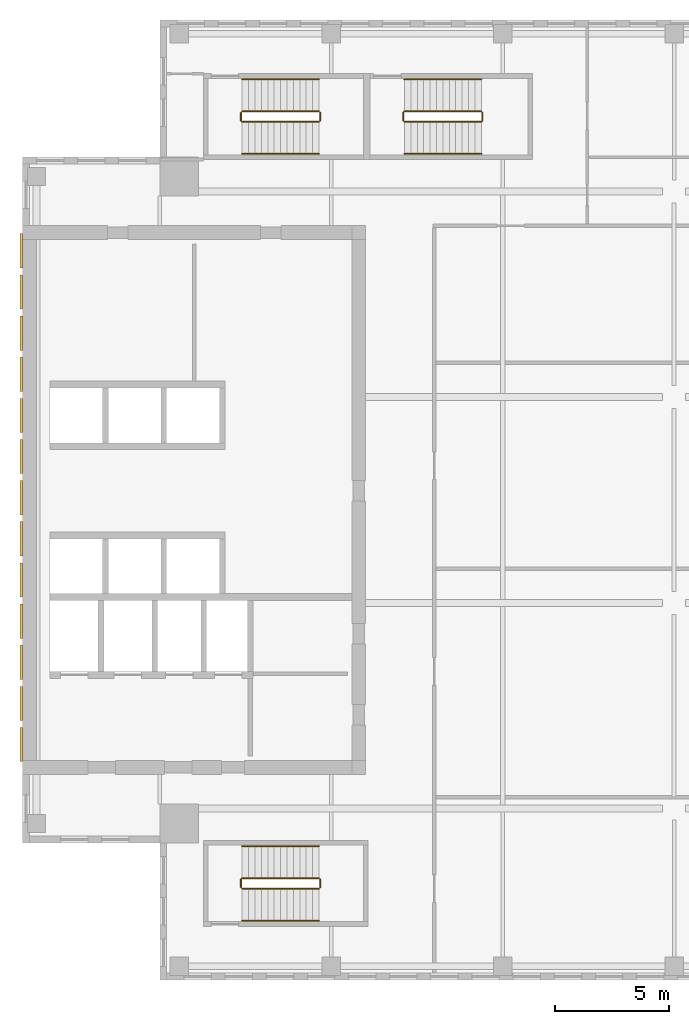
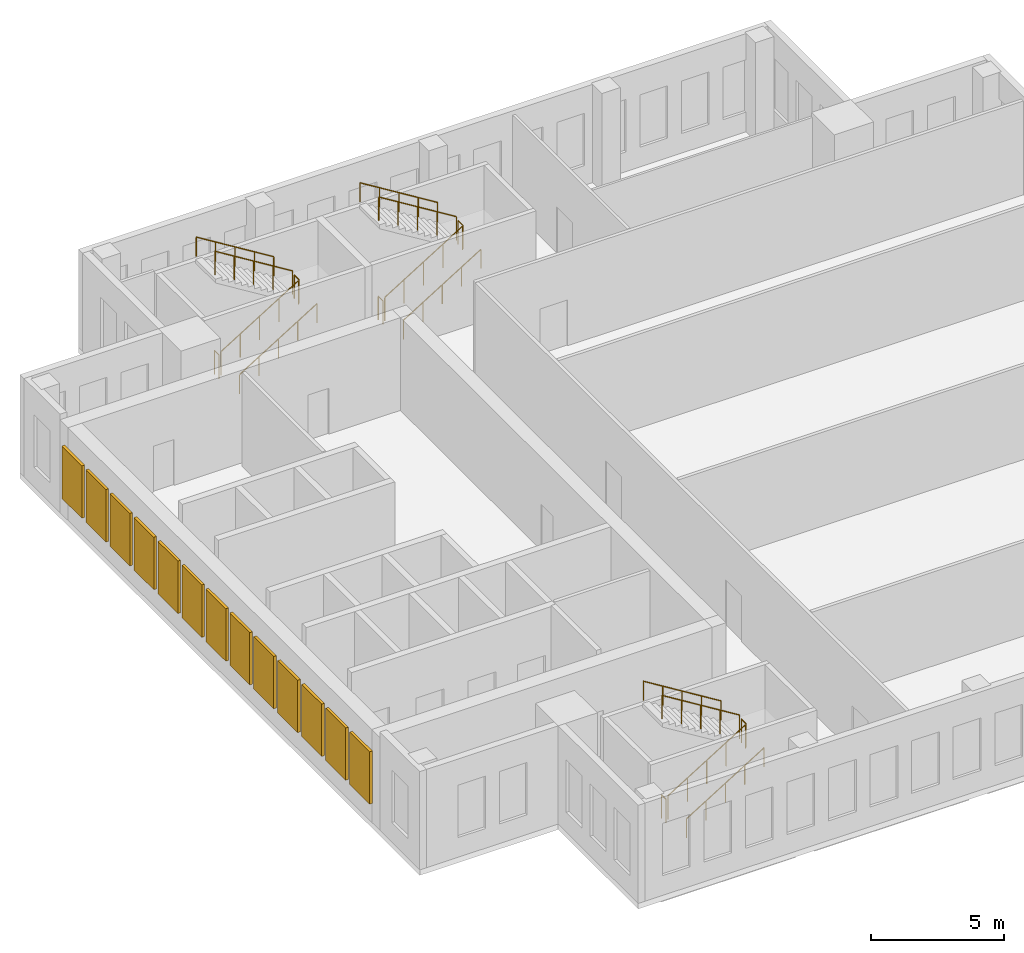
# One storey, part 6 of 6: 18 railings, 13 coverings.
"""IFC4 building model written with IfcOpenShell, lengths in metres."""

from ifc_helpers import new_model, si_unit, direction, frame, origin, origin_2d, place, context, subcontext, project, spatial, rectangle, circle, extrude, source, transform, mapped, material, layer, layer_set, type_object, element, save


model = new_model("IFC4")

# Units and contexts
model_context = context("Model", 3, precision=1e-05, world=origin(), true_north=direction((0.0, 1.0)))
body_context = subcontext(model_context, "Body", "Model", "MODEL_VIEW")
ifc_project = project(units=[si_unit("LENGTHUNIT", "METRE"), si_unit("AREAUNIT", "SQUARE_METRE"), si_unit("VOLUMEUNIT", "CUBIC_METRE"), si_unit("PLANEANGLEUNIT", "RADIAN"), si_unit("MASSUNIT", "GRAM", prefix="KILO")], contexts=[model_context])

# Site, building, storey
site_placement = place(None, origin())
site = spatial("IfcSite", under=ifc_project, at=site_placement, CompositionType="ELEMENT")
building_placement = place(site_placement, origin())
building = spatial("IfcBuilding", under=site, at=building_placement, Name="Khomas Fold Tower", CompositionType="ELEMENT")
storey_placement = place(building_placement, frame((0.0, 0.0, 330.199951171875)))
storey = spatial("IfcBuildingStorey", under=building, at=storey_placement, Name="C1", CompositionType="ELEMENT", Elevation=330.199951171875)

# Coverings
ifc_material_1 = material(Name="Aluminium louvre", Category="aluminium")
ifc_layer = layer(ifc_material_1, 0.1201171875)
ifc_layer_set = layer_set([ifc_layer], Name="Aluminium louvre")
covering_type = type_object("IfcCoveringType", Name="Crown louvre screen CR-LS", PredefinedType="CLADDING", material=ifc_layer_set)
shared_shape_1 = source(origin(), body_context, "Body", "SweptSolid", [
    extrude(rectangle(XDim=1.5, YDim=0.1201171875, at=origin_2d()), origin(), (0.0, 0.0, 1.0), 2.39990234375),
])
for number, where, z_axis, x_axis, name in (
    (1, (5.93994140625, 37.900146484375, 0.900146484375), (0.0, 0.0, 1.0), (0.0, -1.0, 0.0), "Crown louvre screen"),
    (2, (5.93994140625, 36.10009765625, 0.900146484375), (0.0, 0.0, 1.0), (0.0, -1.0, 0.0), "Crown louvre screen"),
    (3, (5.93994140625, 34.300048828125, 0.900146484375), (0.0, 0.0, 1.0), (0.0, -1.0, 0.0), "Crown louvre screen"),
    (4, (5.93994140625, 32.5, 0.900146484375), (0.0, 0.0, 1.0), (0.0, -1.0, 0.0), "Crown louvre screen"),
    (5, (5.93994140625, 30.7001953125, 0.900146484375), (0.0, 0.0, 1.0), (0.0, -1.0, 0.0), "Crown louvre screen"),
    (6, (5.93994140625, 28.900146484375, 0.900146484375), (0.0, 0.0, 1.0), (0.0, -1.0, 0.0), "Crown louvre screen"),
    (7, (5.93994140625, 27.10009765625, 0.900146484375), (0.0, 0.0, 1.0), (0.0, -1.0, 0.0), "Crown louvre screen"),
    (8, (5.93994140625, 25.300048828125, 0.900146484375), (0.0, 0.0, 1.0), (0.0, -1.0, 0.0), "Crown louvre screen"),
    (9, (5.93994140625, 23.5, 0.900146484375), (0.0, 0.0, 1.0), (0.0, -1.0, 0.0), "Crown louvre screen"),
    (10, (5.93994140625, 21.7001953125, 0.900146484375), (0.0, 0.0, 1.0), (0.0, -1.0, 0.0), "Crown louvre screen"),
    (11, (5.93994140625, 19.900146484375, 0.900146484375), (0.0, 0.0, 1.0), (0.0, -1.0, 0.0), "Crown louvre screen"),
    (12, (5.93994140625, 18.10009765625, 0.900146484375), (0.0, 0.0, 1.0), (0.0, -1.0, 0.0), "Crown louvre screen"),
    (13, (5.93994140625, 16.300048828125, 0.900146484375), (0.0, 0.0, 1.0), (0.0, -1.0, 0.0), "Crown louvre screen"),
):
    element("IfcCovering", number, at=place(storey_placement, frame(where, z_axis=z_axis, x_axis=x_axis)), inside=storey, type_object=covering_type, Name=name, PredefinedType="CLADDING", context=body_context, shape_type="MappedRepresentation", body=[
        mapped(shared_shape_1, transform((0.0, 0.0, 0.0))),
    ])

# Railings
ifc_material_2 = material(Name="Steel balustrade", Category="steel")
railing_type_1 = type_object("IfcRailingType", Name="Stair guard", PredefinedType="GUARDRAIL", material=ifc_material_2)
shared_shape_2 = source(origin(), body_context, "Body", "SweptSolid", [
    extrude(circle(Radius=0.02392578125, at=origin_2d()), frame((0.0, 0.0, 1.076171875), z_axis=(0.850606129759, 0.0, 0.525803396734), x_axis=(0.0, 1.0, 0.0)), (0.0, 0.0, 1.0), 3.949951171875),
    extrude(circle(Radius=0.02099609375, at=origin_2d()), origin(), (0.0, 0.0, 1.0), 1.052001953125),
    extrude(circle(Radius=0.02099609375, at=origin_2d()), frame((0.83984375, 0.0, 0.519287109375)), (0.0, 0.0, 1.0), 1.052001953125),
    extrude(circle(Radius=0.02099609375, at=origin_2d()), frame((1.679931640625, 0.0, 1.03857421875)), (0.0, 0.0, 1.0), 1.052001953125),
    extrude(circle(Radius=0.02099609375, at=origin_2d()), frame((2.52001953125, 0.0, 1.5576171875)), (0.0, 0.0, 1.0), 1.052001953125),
    extrude(circle(Radius=0.02099609375, at=origin_2d()), frame((3.35986328125, 0.0, 2.076904296875)), (0.0, 0.0, 1.0), 1.052001953125),
])
for number, where, name in (
    (14, (15.60009765625, 43.550048828125, 0.173095703125), "C1 ST1 stair guard 1"),
    (15, (15.60009765625, 10.0, 0.173095703125), "C1 ST2 stair guard 1"),
):
    element("IfcRailing", number, at=place(storey_placement, frame(where)), inside=storey, type_object=railing_type_1, Name=name, PredefinedType="GUARDRAIL", context=body_context, shape_type="MappedRepresentation", body=[
        mapped(shared_shape_2, transform((0.0, 0.0, 0.0))),
    ])
shared_shape_3 = source(origin(), body_context, "Body", "SweptSolid", [
    extrude(circle(Radius=0.02392578125, at=origin_2d()), frame((0.0, 0.0, 1.076171875), z_axis=(0.0, 1.0, 0.0), x_axis=(-1.0, 0.0, 0.0)), (0.0, 0.0, 1.0), 0.349853515625),
    extrude(circle(Radius=0.02099609375, at=origin_2d()), origin(), (0.0, 0.0, 1.0), 1.052001953125),
    extrude(circle(Radius=0.02099609375, at=origin_2d()), frame((0.0, 0.349853515625, 0.0)), (0.0, 0.0, 1.0), 1.052001953125),
])
for number, where, name in (
    (16, (19.010009765625, 43.60009765625, 2.25), "C1 ST1 stair guard 2"),
    (17, (15.550048828125, 43.60009765625, 0.0), "C1 ST1 stair guard 4"),
    (18, (19.010009765625, 10.050048828125, 2.25), "C1 ST2 stair guard 2"),
    (19, (15.550048828125, 10.050048828125, 0.0), "C1 ST2 stair guard 4"),
    (20, (26.110107421875, 43.60009765625, 2.25), "C1 ST3 stair guard 2"),
    (21, (22.64990234375, 43.60009765625, 0.0), "C1 ST3 stair guard 4"),
):
    element("IfcRailing", number, at=place(storey_placement, frame(where)), inside=storey, type_object=railing_type_1, Name=name, PredefinedType="GUARDRAIL", context=body_context, shape_type="MappedRepresentation", body=[
        mapped(shared_shape_3, transform((0.0, 0.0, 0.0))),
    ])
shared_shape_4 = source(origin(), body_context, "Body", "SweptSolid", [
    extrude(circle(Radius=0.02392578125, at=origin_2d()), frame((0.0, 0.0, 1.076171875), z_axis=(-0.850606129759, 0.0, 0.525803396734), x_axis=(0.0, -1.0, 0.0)), (0.0, 0.0, 1.0), 3.949951171875),
    extrude(circle(Radius=0.02099609375, at=origin_2d()), origin(), (0.0, 0.0, 1.0), 1.052001953125),
    extrude(circle(Radius=0.02099609375, at=origin_2d()), frame((-0.83984375, 0.0, 0.519287109375)), (0.0, 0.0, 1.0), 1.052001953125),
    extrude(circle(Radius=0.02099609375, at=origin_2d()), frame((-1.679931640625, 0.0, 1.03857421875)), (0.0, 0.0, 1.0), 1.052001953125),
    extrude(circle(Radius=0.02099609375, at=origin_2d()), frame((-2.52001953125, 0.0, 1.5576171875)), (0.0, 0.0, 1.0), 1.052001953125),
    extrude(circle(Radius=0.02099609375, at=origin_2d()), frame((-3.35986328125, 0.0, 2.076904296875)), (0.0, 0.0, 1.0), 1.052001953125),
])
for number, where, name in (
    (22, (18.9599609375, 44.0, 2.423095703125), "C1 ST1 stair guard 3"),
    (23, (18.9599609375, 10.449951171875, 2.423095703125), "C1 ST2 stair guard 3"),
):
    element("IfcRailing", number, at=place(storey_placement, frame(where)), inside=storey, type_object=railing_type_1, Name=name, PredefinedType="GUARDRAIL", context=body_context, shape_type="MappedRepresentation", body=[
        mapped(shared_shape_4, transform((0.0, 0.0, 0.0))),
    ])
ifc_material_3 = material(Name="Steel handrail", Category="steel")
railing_type_2 = type_object("IfcRailingType", Name="Stair handrail", PredefinedType="HANDRAIL", material=ifc_material_3)
shared_shape_5 = source(origin(), body_context, "Body", "SweptSolid", [
    extrude(circle(Radius=0.02392578125, at=origin_2d()), frame((0.0, 0.0, 0.8759765625), z_axis=(0.850606129759, 0.0, 0.525803396734), x_axis=(0.0, 1.0, 0.0)), (0.0, 0.0, 1.0), 3.949951171875),
    extrude(circle(Radius=0.02099609375, at=origin_2d()), origin(), (0.0, 0.0, 1.0), 0.851806640625),
    extrude(circle(Radius=0.02099609375, at=origin_2d()), frame((0.83984375, 0.0, 0.519287109375)), (0.0, 0.0, 1.0), 0.851806640625),
    extrude(circle(Radius=0.02099609375, at=origin_2d()), frame((1.679931640625, 0.0, 1.03857421875)), (0.0, 0.0, 1.0), 0.851806640625),
    extrude(circle(Radius=0.02099609375, at=origin_2d()), frame((2.52001953125, 0.0, 1.5576171875)), (0.0, 0.0, 1.0), 0.851806640625),
    extrude(circle(Radius=0.02099609375, at=origin_2d()), frame((3.35986328125, 0.0, 2.076904296875)), (0.0, 0.0, 1.0), 0.851806640625),
])
for number, where, name in (
    (24, (15.60009765625, 42.14990234375, 0.173095703125), "C1 ST1 stair handrail 1"),
    (25, (15.60009765625, 8.60009765625, 0.173095703125), "C1 ST2 stair handrail 1"),
):
    element("IfcRailing", number, at=place(storey_placement, frame(where)), inside=storey, type_object=railing_type_2, Name=name, PredefinedType="HANDRAIL", context=body_context, shape_type="MappedRepresentation", body=[
        mapped(shared_shape_5, transform((0.0, 0.0, 0.0))),
    ])
shared_shape_6 = source(origin(), body_context, "Body", "SweptSolid", [
    extrude(circle(Radius=0.02392578125, at=origin_2d()), frame((0.0, 0.0, 0.8759765625), z_axis=(-0.850606129759, 0.0, 0.525803396734), x_axis=(0.0, -1.0, 0.0)), (0.0, 0.0, 1.0), 3.949951171875),
    extrude(circle(Radius=0.02099609375, at=origin_2d()), origin(), (0.0, 0.0, 1.0), 0.851806640625),
    extrude(circle(Radius=0.02099609375, at=origin_2d()), frame((-0.83984375, 0.0, 0.519287109375)), (0.0, 0.0, 1.0), 0.851806640625),
    extrude(circle(Radius=0.02099609375, at=origin_2d()), frame((-1.679931640625, 0.0, 1.03857421875)), (0.0, 0.0, 1.0), 0.851806640625),
    extrude(circle(Radius=0.02099609375, at=origin_2d()), frame((-2.52001953125, 0.0, 1.5576171875)), (0.0, 0.0, 1.0), 0.851806640625),
    extrude(circle(Radius=0.02099609375, at=origin_2d()), frame((-3.35986328125, 0.0, 2.076904296875)), (0.0, 0.0, 1.0), 0.851806640625),
])
for number, where, name in (
    (26, (18.9599609375, 45.39990234375, 2.423095703125), "C1 ST1 stair handrail 2"),
    (27, (18.9599609375, 11.85009765625, 2.423095703125), "C1 ST2 stair handrail 2"),
):
    element("IfcRailing", number, at=place(storey_placement, frame(where)), inside=storey, type_object=railing_type_2, Name=name, PredefinedType="HANDRAIL", context=body_context, shape_type="MappedRepresentation", body=[
        mapped(shared_shape_6, transform((0.0, 0.0, 0.0))),
    ])
shared_shape_7 = source(origin(), body_context, "Body", "SweptSolid", [
    extrude(circle(Radius=0.02392578125, at=origin_2d()), frame((0.0, 0.0, 1.076171875), z_axis=(0.850623216509, 0.0, 0.525775754039), x_axis=(0.0, 1.0, 0.0)), (0.0, 0.0, 1.0), 3.9501953125),
    extrude(circle(Radius=0.02099609375, at=origin_2d()), origin(), (0.0, 0.0, 1.0), 1.052001953125),
    extrude(circle(Radius=0.02099609375, at=origin_2d()), frame((0.840087890625, 0.0, 0.519287109375)), (0.0, 0.0, 1.0), 1.052001953125),
    extrude(circle(Radius=0.02099609375, at=origin_2d()), frame((1.68017578125, 0.0, 1.03857421875)), (0.0, 0.0, 1.0), 1.052001953125),
    extrude(circle(Radius=0.02099609375, at=origin_2d()), frame((2.52001953125, 0.0, 1.5576171875)), (0.0, 0.0, 1.0), 1.052001953125),
    extrude(circle(Radius=0.02099609375, at=origin_2d()), frame((3.360107421875, 0.0, 2.076904296875)), (0.0, 0.0, 1.0), 1.052001953125),
])
railing_1_placement = place(storey_placement, frame((22.699951171875, 43.550048828125, 0.173095703125)))
element("IfcRailing", 28, at=railing_1_placement, inside=storey, type_object=railing_type_1, Name="C1 ST3 stair guard 1", PredefinedType="GUARDRAIL", context=body_context, shape_type="MappedRepresentation", body=[
    mapped(shared_shape_7, transform((0.0, 0.0, 0.0))),
])
shared_shape_8 = source(origin(), body_context, "Body", "SweptSolid", [
    extrude(circle(Radius=0.02392578125, at=origin_2d()), frame((0.0, 0.0, 1.076171875), z_axis=(-0.850623216509, 0.0, 0.525775754039), x_axis=(0.0, -1.0, 0.0)), (0.0, 0.0, 1.0), 3.9501953125),
    extrude(circle(Radius=0.02099609375, at=origin_2d()), origin(), (0.0, 0.0, 1.0), 1.052001953125),
    extrude(circle(Radius=0.02099609375, at=origin_2d()), frame((-0.840087890625, 0.0, 0.519287109375)), (0.0, 0.0, 1.0), 1.052001953125),
    extrude(circle(Radius=0.02099609375, at=origin_2d()), frame((-1.68017578125, 0.0, 1.03857421875)), (0.0, 0.0, 1.0), 1.052001953125),
    extrude(circle(Radius=0.02099609375, at=origin_2d()), frame((-2.52001953125, 0.0, 1.5576171875)), (0.0, 0.0, 1.0), 1.052001953125),
    extrude(circle(Radius=0.02099609375, at=origin_2d()), frame((-3.360107421875, 0.0, 2.076904296875)), (0.0, 0.0, 1.0), 1.052001953125),
])
railing_2_placement = place(storey_placement, frame((26.06005859375, 44.0, 2.423095703125)))
element("IfcRailing", 29, at=railing_2_placement, inside=storey, type_object=railing_type_1, Name="C1 ST3 stair guard 3", PredefinedType="GUARDRAIL", context=body_context, shape_type="MappedRepresentation", body=[
    mapped(shared_shape_8, transform((0.0, 0.0, 0.0))),
])
shared_shape_9 = source(origin(), body_context, "Body", "SweptSolid", [
    extrude(circle(Radius=0.02392578125, at=origin_2d()), frame((0.0, 0.0, 0.8759765625), z_axis=(0.850623216509, 0.0, 0.525775754039), x_axis=(0.0, 1.0, 0.0)), (0.0, 0.0, 1.0), 3.9501953125),
    extrude(circle(Radius=0.02099609375, at=origin_2d()), origin(), (0.0, 0.0, 1.0), 0.851806640625),
    extrude(circle(Radius=0.02099609375, at=origin_2d()), frame((0.840087890625, 0.0, 0.519287109375)), (0.0, 0.0, 1.0), 0.851806640625),
    extrude(circle(Radius=0.02099609375, at=origin_2d()), frame((1.68017578125, 0.0, 1.03857421875)), (0.0, 0.0, 1.0), 0.851806640625),
    extrude(circle(Radius=0.02099609375, at=origin_2d()), frame((2.52001953125, 0.0, 1.5576171875)), (0.0, 0.0, 1.0), 0.851806640625),
    extrude(circle(Radius=0.02099609375, at=origin_2d()), frame((3.360107421875, 0.0, 2.076904296875)), (0.0, 0.0, 1.0), 0.851806640625),
])
railing_3_placement = place(storey_placement, frame((22.699951171875, 42.14990234375, 0.173095703125)))
element("IfcRailing", 30, at=railing_3_placement, inside=storey, type_object=railing_type_2, Name="C1 ST3 stair handrail 1", PredefinedType="HANDRAIL", context=body_context, shape_type="MappedRepresentation", body=[
    mapped(shared_shape_9, transform((0.0, 0.0, 0.0))),
])
shared_shape_10 = source(origin(), body_context, "Body", "SweptSolid", [
    extrude(circle(Radius=0.02392578125, at=origin_2d()), frame((0.0, 0.0, 0.8759765625), z_axis=(-0.850623216509, 0.0, 0.525775754039), x_axis=(0.0, -1.0, 0.0)), (0.0, 0.0, 1.0), 3.9501953125),
    extrude(circle(Radius=0.02099609375, at=origin_2d()), origin(), (0.0, 0.0, 1.0), 0.851806640625),
    extrude(circle(Radius=0.02099609375, at=origin_2d()), frame((-0.840087890625, 0.0, 0.519287109375)), (0.0, 0.0, 1.0), 0.851806640625),
    extrude(circle(Radius=0.02099609375, at=origin_2d()), frame((-1.68017578125, 0.0, 1.03857421875)), (0.0, 0.0, 1.0), 0.851806640625),
    extrude(circle(Radius=0.02099609375, at=origin_2d()), frame((-2.52001953125, 0.0, 1.5576171875)), (0.0, 0.0, 1.0), 0.851806640625),
    extrude(circle(Radius=0.02099609375, at=origin_2d()), frame((-3.360107421875, 0.0, 2.076904296875)), (0.0, 0.0, 1.0), 0.851806640625),
])
railing_4_placement = place(storey_placement, frame((26.06005859375, 45.39990234375, 2.423095703125)))
element("IfcRailing", 31, at=railing_4_placement, inside=storey, type_object=railing_type_2, Name="C1 ST3 stair handrail 2", PredefinedType="HANDRAIL", context=body_context, shape_type="MappedRepresentation", body=[
    mapped(shared_shape_10, transform((0.0, 0.0, 0.0))),
])

save(model, "model.ifc")
